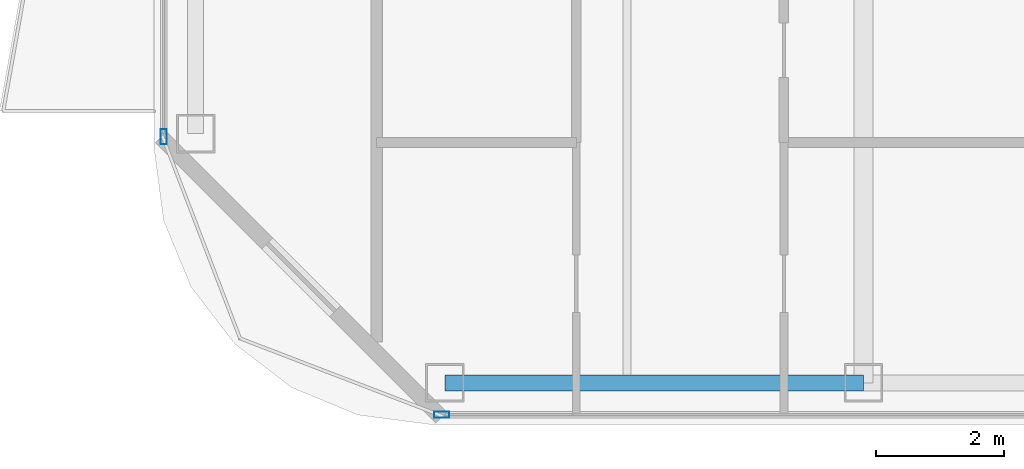
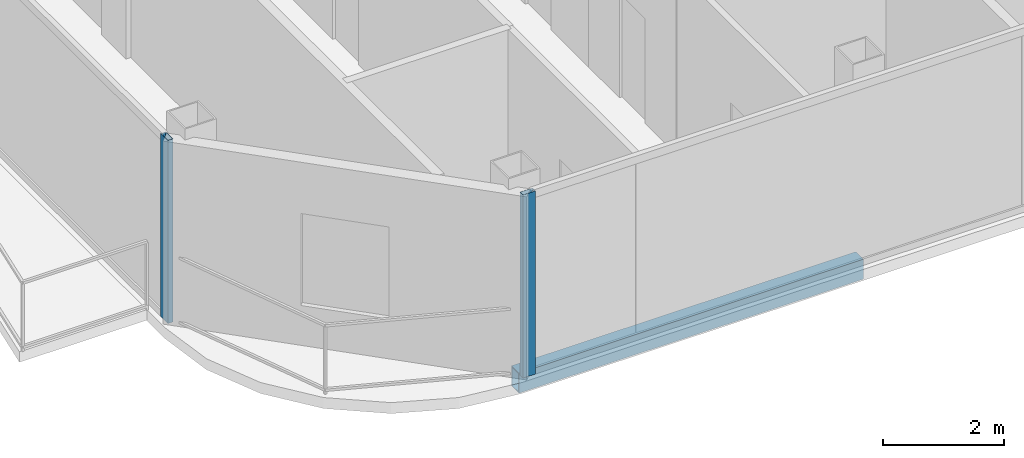
# One storey, part 2 of 27: 2 members, 1 beam, 2 elements without a shape of their own.
"""IFC4 building model written with IfcOpenShell, lengths in metres."""

from ifc_helpers import new_model, si_unit, direction, frame, origin, origin_2d, place, context, subcontext, project, spatial, hollow_rectangle, extrude, material, layer, layer_set, material_profile, profile_set, type_object, element, aggregate, save


model = new_model("IFC4")

# Units and contexts
model_context = context("Model", 3, precision=1e-05, world=origin(), true_north=direction((0.0, 1.0)))
body_context = subcontext(model_context, "Body", "Model", "MODEL_VIEW")
ifc_project = project(units=[si_unit("LENGTHUNIT", "METRE"), si_unit("AREAUNIT", "SQUARE_METRE"), si_unit("VOLUMEUNIT", "CUBIC_METRE"), si_unit("PLANEANGLEUNIT", "RADIAN"), si_unit("MASSUNIT", "GRAM", prefix="KILO")], contexts=[model_context])

# Site, building, storey
site_placement = place(None, origin())
site = spatial("IfcSite", under=ifc_project, at=site_placement, CompositionType="ELEMENT")
building_placement = place(site_placement, origin())
building = spatial("IfcBuilding", under=site, at=building_placement, Name="Khorvyn Point Tower", CompositionType="ELEMENT")
storey_placement = place(building_placement, frame((0.0, 0.0, 227.39990234375)))
storey = spatial("IfcBuildingStorey", under=building, at=storey_placement, Name="L56", CompositionType="ELEMENT", Elevation=227.39990234375)

# Curtain wall, member
ifc_material_1 = material(Name="Anodised aluminium 6063-T6 and laminated Low-E glass", Category="aluminium")
ifc_layer = layer(ifc_material_1, 0.18994140625)
ifc_layer_set = layer_set([ifc_layer], Name="Stick-Built Acoustic Curtain Wall CW-SYS-03")
curtain_wall_type = type_object("IfcCurtainWallType", Name="Stick-Built Acoustic Curtain Wall CW-SYS-03", PredefinedType="NOTDEFINED", material=ifc_layer_set)
curtain_wall_1_placement = place(storey_placement, origin())
curtain_wall_1 = element("IfcCurtainWall", 1, at=curtain_wall_1_placement, inside=storey, type_object=curtain_wall_type, Name="Curtain Wall", PredefinedType="NOTDEFINED")
ifc_material_2 = material(Name="Anodised aluminium 6063-T6", Category="aluminium")
ifc_material_profile_1 = material_profile(ifc_material_2, hollow_rectangle(XDim=0.10009765625, YDim=0.239990234375, WallThickness=0.0048828125, at=origin_2d()))
ifc_profile_set_1 = profile_set([ifc_material_profile_1], Name="Anodised aluminium 6063-T6 ALU-MUL-100x240")
member_type = type_object("IfcMemberType", Name="Anodised Aluminium 6063-T6 Mullion ALU-MUL-100x240", PredefinedType="MULLION", material=ifc_profile_set_1)
member_1_placement = place(storey_placement, frame((-14.0, -28.64990234375, 0.0), z_axis=(0.0, 0.0, 1.0), x_axis=(0.0, -1.0, 0.0)))
member_1 = element("IfcMember", 2, at=member_1_placement, type_object=member_type, Name="Transom", PredefinedType="MULLION", context=body_context, shape_type="SweptSolid", body=[
    extrude(hollow_rectangle(XDim=0.10009765625, YDim=0.239990234375, WallThickness=0.0048828125, at=origin_2d()), origin(), (0.0, 0.0, 1.0), 3.68017578125),
])
aggregate(curtain_wall_1, [member_1])

curtain_wall_2_placement = place(storey_placement, origin())
curtain_wall_2 = element("IfcCurtainWall", 3, at=curtain_wall_2_placement, inside=storey, type_object=curtain_wall_type, Name="Curtain Wall", PredefinedType="NOTDEFINED")
member_2_placement = place(storey_placement, frame((-18.35009765625, -24.300048828125, 0.0), z_axis=(0.0, 0.0, 1.0), x_axis=(-1.0, 0.0, 0.0)))
member_2 = element("IfcMember", 4, at=member_2_placement, type_object=member_type, Name="Transom", PredefinedType="MULLION", context=body_context, shape_type="SweptSolid", body=[
    extrude(hollow_rectangle(XDim=0.10009765625, YDim=0.239990234375, WallThickness=0.0048828125, at=origin_2d()), origin(), (0.0, 0.0, 1.0), 3.68017578125),
])
aggregate(curtain_wall_2, [member_2])

# Beam
ifc_material_3 = material(Name="Steel S355", Category="steel")
ifc_material_profile_2 = material_profile(ifc_material_3, hollow_rectangle(XDim=0.25, YDim=0.39990234375, WallThickness=0.01611328125, at=origin_2d()))
ifc_profile_set_2 = profile_set([ifc_material_profile_2], Name="Steel S355 RHS400x250x16")
beam_type = type_object("IfcBeamType", Name="Steel S355 Spandrel RHS400x250x16", PredefinedType="SPANDREL", material=ifc_profile_set_2)
beam_placement = place(storey_placement, frame((-13.949951171875, -28.14990234375, -0.419921875), z_axis=(1.0, 0.0, 0.0), x_axis=(0.0, 1.0, 0.0)))
element("IfcBeam", 5, at=beam_placement, inside=storey, type_object=beam_type, Name="Beam", PredefinedType="SPANDREL", context=body_context, shape_type="SweptSolid", body=[
    extrude(hollow_rectangle(XDim=0.25, YDim=0.39990234375, WallThickness=0.01611328125, at=origin_2d()), origin(), (0.0, 0.0, 1.0), 6.550048828125),
])

save(model, "model.ifc")
